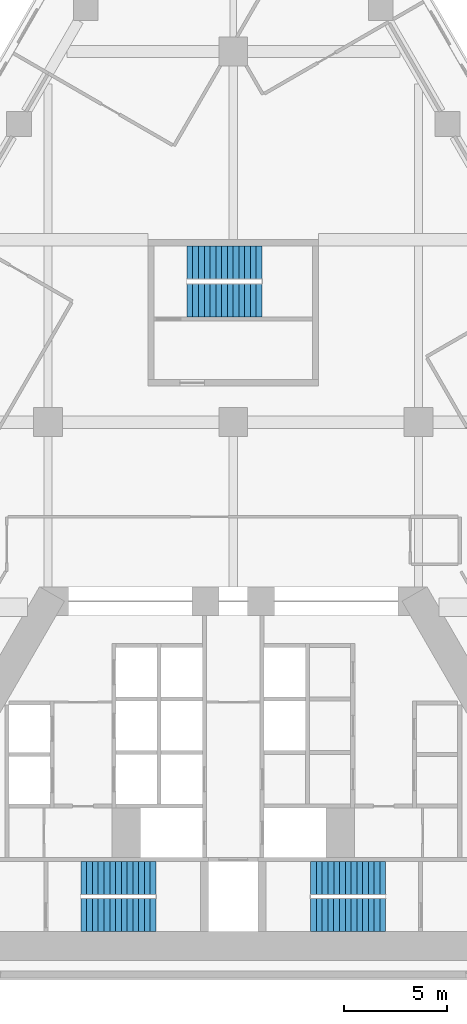
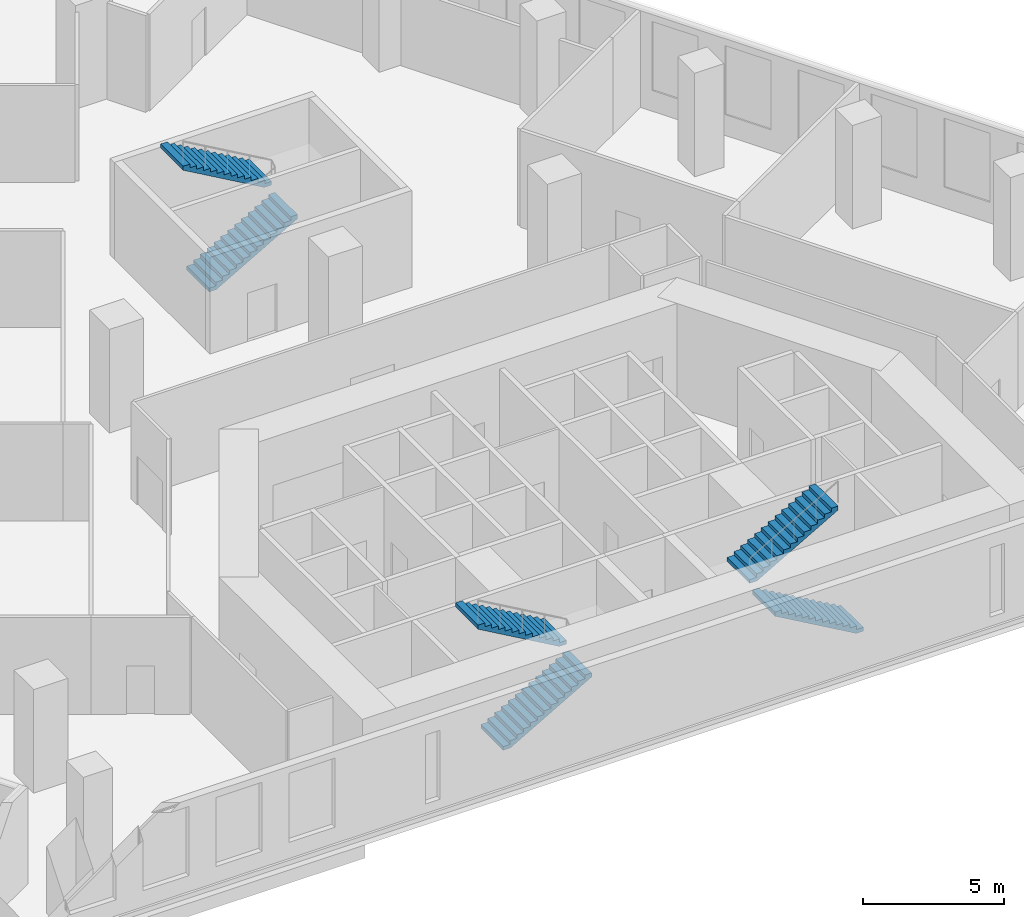
# One storey, part 13 of 14: 6 stair flights, 3 elements without a shape of their own.
"""IFC4 building model written with IfcOpenShell, lengths in metres."""

from ifc_helpers import new_model, si_unit, direction, frame, origin, place, context, subcontext, project, spatial, polyline, outline, extrude, material, type_object, element, aggregate, save


model = new_model("IFC4")

# Units and contexts
model_context = context("Model", 3, precision=1e-05, world=origin(), true_north=direction((0.0, 1.0)))
body_context = subcontext(model_context, "Body", "Model", "MODEL_VIEW")
ifc_project = project(units=[si_unit("LENGTHUNIT", "METRE"), si_unit("AREAUNIT", "SQUARE_METRE"), si_unit("VOLUMEUNIT", "CUBIC_METRE"), si_unit("PLANEANGLEUNIT", "RADIAN"), si_unit("MASSUNIT", "GRAM", prefix="KILO")], contexts=[model_context])

# Site, building, storey
site_placement = place(None, origin())
site = spatial("IfcSite", under=ifc_project, at=site_placement, CompositionType="ELEMENT")
building_placement = place(site_placement, origin())
building = spatial("IfcBuilding", under=site, at=building_placement, Name="Fogline Exchange Tower", CompositionType="ELEMENT")
storey_placement = place(building_placement, frame((0.0, 0.0, 34.0)))
storey = spatial("IfcBuildingStorey", under=building, at=storey_placement, Name="L06", CompositionType="ELEMENT", Elevation=34.0)

# Stair, stair flights
ifc_material = material(Name="Concrete C40", Category="concrete")
stair_type = type_object("IfcStairType", Name="STR28-1607", PredefinedType="HALF_TURN_STAIR", material=ifc_material)
stair_1_placement = place(storey_placement, origin())
stair_1 = element("IfcStair", 1, at=stair_1_placement, inside=storey, type_object=stair_type, Name="Stair ST1", PredefinedType="HALF_TURN_STAIR")
stair_flight_type = type_object("IfcStairFlightType", Name="SF14-1607", PredefinedType="STRAIGHT", material=ifc_material)
stair_flight_1_placement = place(storey_placement, frame((-7.39990234375, 3.050048828125, 0.0), z_axis=(0.0, 0.0, 1.0), x_axis=(1.0, 0.0, 0.0)))
stair_flight_1 = element("IfcStairFlight", 2, at=stair_flight_1_placement, type_object=stair_flight_type, Name="ST1 flight 1", NumberOfRisers=14, NumberOfTreads=13, PredefinedType="STRAIGHT", RiserHeight=0.160714286, TreadLength=0.28, context=body_context, shape_type="SweptSolid", body=[
    extrude(outline(polyline([(0.0, 0.0), (0.0, 0.16064453125), (0.280029296875, 0.16064453125), (0.280029296875, 0.321533203125), (0.56005859375, 0.321533203125), (0.56005859375, 0.482177734375), (0.840087890625, 0.482177734375), (0.840087890625, 0.642822265625), (1.1201171875, 0.642822265625), (1.1201171875, 0.803466796875), (1.39990234375, 0.803466796875), (1.39990234375, 0.96435546875), (1.679931640625, 0.96435546875), (1.679931640625, 1.125), (1.9599609375, 1.125), (1.9599609375, 1.28564453125), (2.239990234375, 1.28564453125), (2.239990234375, 1.446533203125), (2.52001953125, 1.446533203125), (2.52001953125, 1.607177734375), (2.800048828125, 1.607177734375), (2.800048828125, 1.767822265625), (3.080078125, 1.767822265625), (3.080078125, 1.928466796875), (3.360107421875, 1.928466796875), (3.360107421875, 2.08935546875), (3.639892578125, 2.08935546875), (3.639892578125, 2.25), (3.639892578125, 1.91650390625), (0.301025390625, 0.0), (0.0, 0.0)])), frame((0.0, 0.800048828125, 0.0), z_axis=(0.0, -1.0, 0.0), x_axis=(1.0, 0.0, 0.0)), (0.0, 0.0, 1.0), 1.60009765625),
])
stair_flight_2_placement = place(storey_placement, frame((-3.760009765625, 4.85009765625, 2.25), z_axis=(0.0, 0.0, 1.0), x_axis=(-1.0, 0.0, 0.0)))
stair_flight_2 = element("IfcStairFlight", 3, at=stair_flight_2_placement, type_object=stair_flight_type, Name="ST1 flight 2", NumberOfRisers=14, NumberOfTreads=13, PredefinedType="STRAIGHT", RiserHeight=0.160714286, TreadLength=0.28, context=body_context, shape_type="SweptSolid", body=[
    extrude(outline(polyline([(0.0, 0.0), (0.0, 0.16064453125), (0.280029296875, 0.16064453125), (0.280029296875, 0.321533203125), (0.56005859375, 0.321533203125), (0.56005859375, 0.482177734375), (0.840087890625, 0.482177734375), (0.840087890625, 0.642822265625), (1.1201171875, 0.642822265625), (1.1201171875, 0.803466796875), (1.39990234375, 0.803466796875), (1.39990234375, 0.96435546875), (1.679931640625, 0.96435546875), (1.679931640625, 1.125), (1.9599609375, 1.125), (1.9599609375, 1.28564453125), (2.239990234375, 1.28564453125), (2.239990234375, 1.446533203125), (2.52001953125, 1.446533203125), (2.52001953125, 1.607177734375), (2.800048828125, 1.607177734375), (2.800048828125, 1.767822265625), (3.080078125, 1.767822265625), (3.080078125, 1.928466796875), (3.360107421875, 1.928466796875), (3.360107421875, 2.08935546875), (3.639892578125, 2.08935546875), (3.639892578125, 2.25), (3.639892578125, 1.91650390625), (0.301025390625, 0.0), (0.0, 0.0)])), frame((0.0, 0.800048828125, 0.0), z_axis=(0.0, -1.0, 0.0), x_axis=(1.0, 0.0, 0.0)), (0.0, 0.0, 1.0), 1.60009765625),
])
aggregate(stair_1, [stair_flight_1, stair_flight_2])

stair_2_placement = place(storey_placement, origin())
stair_2 = element("IfcStair", 4, at=stair_2_placement, inside=storey, type_object=stair_type, Name="Stair ST2", PredefinedType="HALF_TURN_STAIR")
stair_flight_3_placement = place(storey_placement, frame((7.39990234375, 3.050048828125, 0.0), z_axis=(0.0, 0.0, 1.0), x_axis=(-1.0, 0.0, 0.0)))
stair_flight_3 = element("IfcStairFlight", 5, at=stair_flight_3_placement, type_object=stair_flight_type, Name="ST2 flight 1", NumberOfRisers=14, NumberOfTreads=13, PredefinedType="STRAIGHT", RiserHeight=0.160714286, TreadLength=0.28, context=body_context, shape_type="SweptSolid", body=[
    extrude(outline(polyline([(0.0, 0.0), (0.0, 0.16064453125), (0.280029296875, 0.16064453125), (0.280029296875, 0.321533203125), (0.56005859375, 0.321533203125), (0.56005859375, 0.482177734375), (0.840087890625, 0.482177734375), (0.840087890625, 0.642822265625), (1.1201171875, 0.642822265625), (1.1201171875, 0.803466796875), (1.39990234375, 0.803466796875), (1.39990234375, 0.96435546875), (1.679931640625, 0.96435546875), (1.679931640625, 1.125), (1.9599609375, 1.125), (1.9599609375, 1.28564453125), (2.239990234375, 1.28564453125), (2.239990234375, 1.446533203125), (2.52001953125, 1.446533203125), (2.52001953125, 1.607177734375), (2.800048828125, 1.607177734375), (2.800048828125, 1.767822265625), (3.080078125, 1.767822265625), (3.080078125, 1.928466796875), (3.360107421875, 1.928466796875), (3.360107421875, 2.08935546875), (3.639892578125, 2.08935546875), (3.639892578125, 2.25), (3.639892578125, 1.91650390625), (0.301025390625, 0.0), (0.0, 0.0)])), frame((0.0, 0.800048828125, 0.0), z_axis=(0.0, -1.0, 0.0), x_axis=(1.0, 0.0, 0.0)), (0.0, 0.0, 1.0), 1.60009765625),
])
stair_flight_4_placement = place(storey_placement, frame((3.760009765625, 4.85009765625, 2.25), z_axis=(0.0, 0.0, 1.0), x_axis=(1.0, 0.0, 0.0)))
stair_flight_4 = element("IfcStairFlight", 6, at=stair_flight_4_placement, type_object=stair_flight_type, Name="ST2 flight 2", NumberOfRisers=14, NumberOfTreads=13, PredefinedType="STRAIGHT", RiserHeight=0.160714286, TreadLength=0.28, context=body_context, shape_type="SweptSolid", body=[
    extrude(outline(polyline([(0.0, 0.0), (0.0, 0.16064453125), (0.280029296875, 0.16064453125), (0.280029296875, 0.321533203125), (0.56005859375, 0.321533203125), (0.56005859375, 0.482177734375), (0.840087890625, 0.482177734375), (0.840087890625, 0.642822265625), (1.1201171875, 0.642822265625), (1.1201171875, 0.803466796875), (1.39990234375, 0.803466796875), (1.39990234375, 0.96435546875), (1.679931640625, 0.96435546875), (1.679931640625, 1.125), (1.9599609375, 1.125), (1.9599609375, 1.28564453125), (2.239990234375, 1.28564453125), (2.239990234375, 1.446533203125), (2.52001953125, 1.446533203125), (2.52001953125, 1.607177734375), (2.800048828125, 1.607177734375), (2.800048828125, 1.767822265625), (3.080078125, 1.767822265625), (3.080078125, 1.928466796875), (3.360107421875, 1.928466796875), (3.360107421875, 2.08935546875), (3.639892578125, 2.08935546875), (3.639892578125, 2.25), (3.639892578125, 1.91650390625), (0.301025390625, 0.0), (0.0, 0.0)])), frame((0.0, 0.800048828125, 0.0), z_axis=(0.0, -1.0, 0.0), x_axis=(1.0, 0.0, 0.0)), (0.0, 0.0, 1.0), 1.60009765625),
])
aggregate(stair_2, [stair_flight_3, stair_flight_4])

stair_3_placement = place(storey_placement, origin())
stair_3 = element("IfcStair", 7, at=stair_3_placement, inside=storey, type_object=stair_type, Name="Stair ST3", PredefinedType="HALF_TURN_STAIR")
stair_flight_5_placement = place(storey_placement, frame((-2.25, 32.906982421875, 0.0), z_axis=(0.0, 0.0, 1.0), x_axis=(1.0, 0.0, 0.0)))
stair_flight_5 = element("IfcStairFlight", 8, at=stair_flight_5_placement, type_object=stair_flight_type, Name="ST3 flight 1", NumberOfRisers=14, NumberOfTreads=13, PredefinedType="STRAIGHT", RiserHeight=0.160714286, TreadLength=0.28, context=body_context, shape_type="SweptSolid", body=[
    extrude(outline(polyline([(0.0, 0.0), (0.0, 0.16064453125), (0.280029296875, 0.16064453125), (0.280029296875, 0.321533203125), (0.56005859375, 0.321533203125), (0.56005859375, 0.482177734375), (0.840087890625, 0.482177734375), (0.840087890625, 0.642822265625), (1.1201171875, 0.642822265625), (1.1201171875, 0.803466796875), (1.39990234375, 0.803466796875), (1.39990234375, 0.96435546875), (1.679931640625, 0.96435546875), (1.679931640625, 1.125), (1.9599609375, 1.125), (1.9599609375, 1.28564453125), (2.239990234375, 1.28564453125), (2.239990234375, 1.446533203125), (2.52001953125, 1.446533203125), (2.52001953125, 1.607177734375), (2.800048828125, 1.607177734375), (2.800048828125, 1.767822265625), (3.080078125, 1.767822265625), (3.080078125, 1.928466796875), (3.360107421875, 1.928466796875), (3.360107421875, 2.08935546875), (3.639892578125, 2.08935546875), (3.639892578125, 2.25), (3.639892578125, 1.91650390625), (0.301025390625, 0.0), (0.0, 0.0)])), frame((0.0, 0.800048828125, 0.0), z_axis=(0.0, -1.0, 0.0), x_axis=(1.0, 0.0, 0.0)), (0.0, 0.0, 1.0), 1.60009765625),
])
stair_flight_6_placement = place(storey_placement, frame((1.389892578125, 34.757080078125, 2.25), z_axis=(0.0, 0.0, 1.0), x_axis=(-1.0, 0.0, 0.0)))
stair_flight_6 = element("IfcStairFlight", 9, at=stair_flight_6_placement, type_object=stair_flight_type, Name="ST3 flight 2", NumberOfRisers=14, NumberOfTreads=13, PredefinedType="STRAIGHT", RiserHeight=0.160714286, TreadLength=0.28, context=body_context, shape_type="SweptSolid", body=[
    extrude(outline(polyline([(0.0, 0.0), (0.0, 0.16064453125), (0.280029296875, 0.16064453125), (0.280029296875, 0.321533203125), (0.56005859375, 0.321533203125), (0.56005859375, 0.482177734375), (0.840087890625, 0.482177734375), (0.840087890625, 0.642822265625), (1.1201171875, 0.642822265625), (1.1201171875, 0.803466796875), (1.39990234375, 0.803466796875), (1.39990234375, 0.96435546875), (1.679931640625, 0.96435546875), (1.679931640625, 1.125), (1.9599609375, 1.125), (1.9599609375, 1.28564453125), (2.239990234375, 1.28564453125), (2.239990234375, 1.446533203125), (2.52001953125, 1.446533203125), (2.52001953125, 1.607177734375), (2.800048828125, 1.607177734375), (2.800048828125, 1.767822265625), (3.080078125, 1.767822265625), (3.080078125, 1.928466796875), (3.360107421875, 1.928466796875), (3.360107421875, 2.08935546875), (3.639892578125, 2.08935546875), (3.639892578125, 2.25), (3.639892578125, 1.91650390625), (0.301025390625, 0.0), (0.0, 0.0)])), frame((0.0, 0.800048828125, 0.0), z_axis=(0.0, -1.0, 0.0), x_axis=(1.0, 0.0, 0.0)), (0.0, 0.0, 1.0), 1.60009765625),
])
aggregate(stair_3, [stair_flight_5, stair_flight_6])

save(model, "model.ifc")
